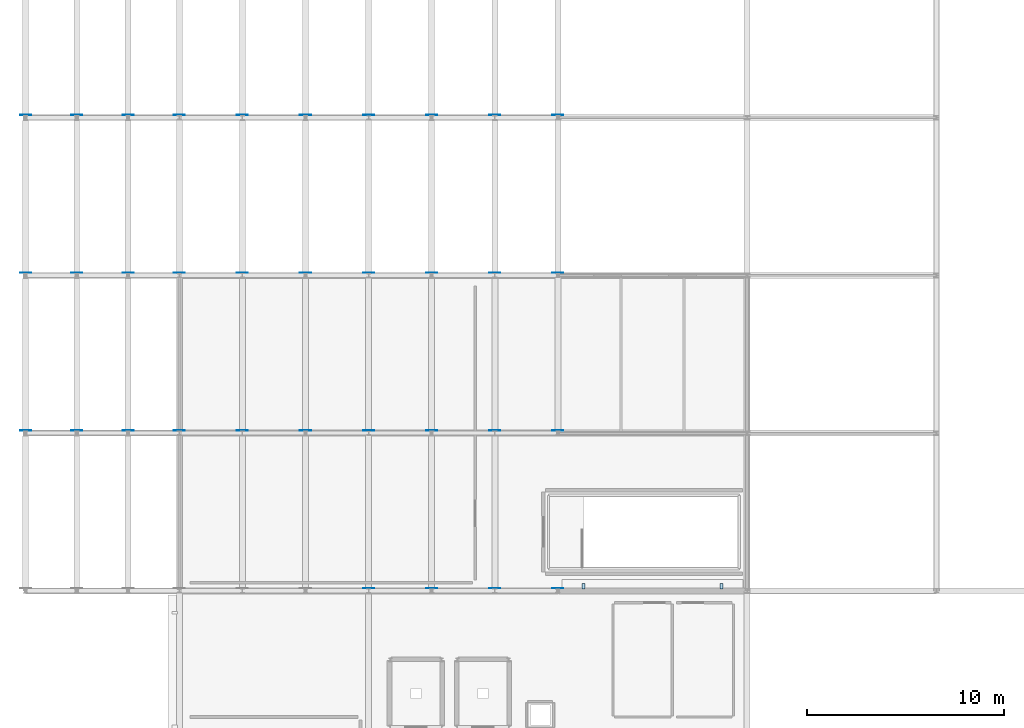
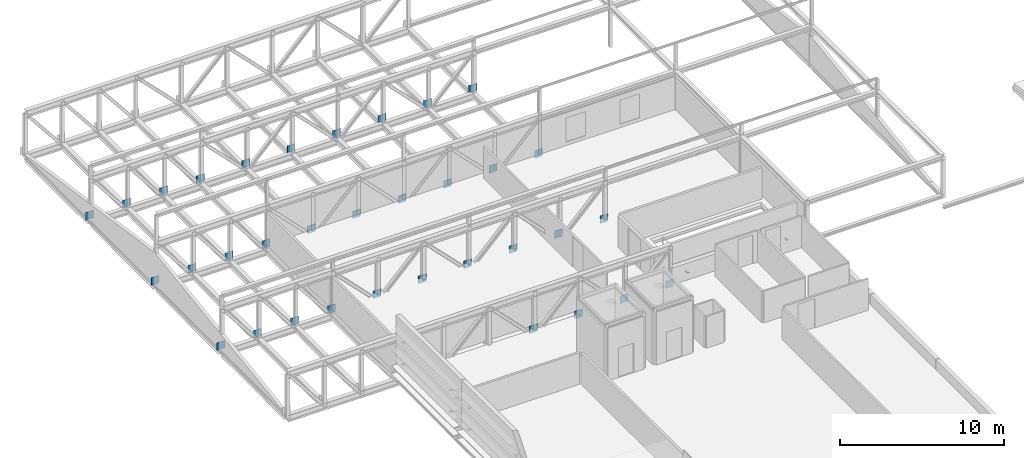
# One storey, part 28 of 34: 36 plates.
"""IFC4 building model written with IfcOpenShell, lengths in metres."""

from ifc_helpers import new_model, si_unit, direction, frame, origin, origin_2d, place, context, subcontext, project, spatial, rectangle, extrude, material, layer, layer_set, type_object, element, save


model = new_model("IFC4")

# Units and contexts
model_context = context("Model", 3, precision=1e-05, world=origin(), true_north=direction((0.0, 1.0)))
body_context = subcontext(model_context, "Body", "Model", "MODEL_VIEW")
ifc_project = project(units=[si_unit("LENGTHUNIT", "METRE"), si_unit("AREAUNIT", "SQUARE_METRE"), si_unit("VOLUMEUNIT", "CUBIC_METRE"), si_unit("PLANEANGLEUNIT", "RADIAN"), si_unit("MASSUNIT", "GRAM", prefix="KILO")], contexts=[model_context])

# Site, building, storey
site_placement = place(None, origin())
site = spatial("IfcSite", under=ifc_project, at=site_placement, CompositionType="ELEMENT")
building_placement = place(site_placement, origin())
building = spatial("IfcBuilding", under=site, at=building_placement, Name="Alderhovde Museum", CompositionType="ELEMENT")
storey_placement = place(building_placement, frame((0.0, 0.0, 25.800048828125)))
storey = spatial("IfcBuildingStorey", under=building, at=storey_placement, Name="L05", CompositionType="ELEMENT", Elevation=25.800048828125)

# Plates
ifc_material_1 = material(Name="Steel S355J2", Category="steel")
ifc_layer_1 = layer(ifc_material_1, 0.02001953125)
ifc_layer_set_1 = layer_set([ifc_layer_1], Name="Steel S355J2")
plate_type_1 = type_object("IfcPlateType", Name="LV-BRACKET", PredefinedType="USERDEFINED", material=ifc_layer_set_1)
for number, where, z_axis, x_axis, name in (
    (1, (30.10400390625, 80.22998046875, 0.2900390625), (0.0, 0.0, 1.0), (1.0, 0.0, 0.0), "L05 Louvre Support Bracket 349-1"),
    (2, (37.095947265625, 80.22998046875, 0.2900390625), (0.0, 0.0, 1.0), (1.0, 0.0, 0.0), "L05 Louvre Support Bracket 349-2"),
):
    element("IfcPlate", number, at=place(storey_placement, frame(where, z_axis=z_axis, x_axis=x_axis)), inside=storey, type_object=plate_type_1, Name=name, ObjectType="BRACKET PLATE", PredefinedType="USERDEFINED", context=body_context, shape_type="SweptSolid", body=[
        extrude(rectangle(XDim=0.139892578125, YDim=0.260009765625, at=origin_2d()), origin(), (0.0, 0.0, 1.0), 0.02001953125),
    ])
ifc_material_2 = material(Name="Steel S355J2", Category="steel")
ifc_layer_2 = layer(ifc_material_2, 0.02197265625)
ifc_layer_set_2 = layer_set([ifc_layer_2], Name="Steel S355J2")
plate_type_2 = type_object("IfcPlateType", Name="PLT-GUSSET-22", PredefinedType="USERDEFINED", material=ifc_layer_set_2)
for number, where, z_axis, x_axis, name in (
    (3, (19.199951171875, 80.1298828125, -0.340087890625), (0.0, 0.0, 1.0), (1.0, 0.0, 0.0), "Transfer Truss Gusset Plate Y=80 T3-7"),
    (4, (22.39990234375, 80.1298828125, -0.340087890625), (0.0, 0.0, 1.0), (1.0, 0.0, 0.0), "Transfer Truss Gusset Plate Y=80 T3-8"),
    (5, (25.60009765625, 80.1298828125, -0.340087890625), (0.0, 0.0, 1.0), (1.0, 0.0, 0.0), "Transfer Truss Gusset Plate Y=80 T3-9"),
    (6, (28.800048828125, 80.1298828125, -0.340087890625), (0.0, 0.0, 1.0), (1.0, 0.0, 0.0), "Transfer Truss Gusset Plate Y=80 T3-10"),
    (7, (1.800048828125, 88.1298828125, -0.340087890625), (0.0, 0.0, 1.0), (1.0, 0.0, 0.0), "Transfer Truss Gusset Plate Y=88 T3-1"),
    (8, (4.39990234375, 88.1298828125, -0.340087890625), (0.0, 0.0, 1.0), (1.0, 0.0, 0.0), "Transfer Truss Gusset Plate Y=88 T3-2"),
    (9, (7.0, 88.1298828125, -0.340087890625), (0.0, 0.0, 1.0), (1.0, 0.0, 0.0), "Transfer Truss Gusset Plate Y=88 T3-3"),
    (10, (9.60009765625, 88.1298828125, -0.340087890625), (0.0, 0.0, 1.0), (1.0, 0.0, 0.0), "Transfer Truss Gusset Plate Y=88 T3-4"),
    (11, (12.800048828125, 88.1298828125, -0.340087890625), (0.0, 0.0, 1.0), (1.0, 0.0, 0.0), "Transfer Truss Gusset Plate Y=88 T3-5"),
    (12, (16.0, 88.1298828125, -0.340087890625), (0.0, 0.0, 1.0), (1.0, 0.0, 0.0), "Transfer Truss Gusset Plate Y=88 T3-6"),
    (13, (19.199951171875, 88.1298828125, -0.340087890625), (0.0, 0.0, 1.0), (1.0, 0.0, 0.0), "Transfer Truss Gusset Plate Y=88 T3-7"),
    (14, (22.39990234375, 88.1298828125, -0.340087890625), (0.0, 0.0, 1.0), (1.0, 0.0, 0.0), "Transfer Truss Gusset Plate Y=88 T3-8"),
    (15, (25.60009765625, 88.1298828125, -0.340087890625), (0.0, 0.0, 1.0), (1.0, 0.0, 0.0), "Transfer Truss Gusset Plate Y=88 T3-9"),
    (16, (28.800048828125, 88.1298828125, -0.340087890625), (0.0, 0.0, 1.0), (1.0, 0.0, 0.0), "Transfer Truss Gusset Plate Y=88 T3-10"),
    (17, (1.800048828125, 96.1298828125, -0.340087890625), (0.0, 0.0, 1.0), (1.0, 0.0, 0.0), "Transfer Truss Gusset Plate Y=96 T3-1"),
    (18, (4.39990234375, 96.1298828125, -0.340087890625), (0.0, 0.0, 1.0), (1.0, 0.0, 0.0), "Transfer Truss Gusset Plate Y=96 T3-2"),
    (19, (7.0, 96.1298828125, -0.340087890625), (0.0, 0.0, 1.0), (1.0, 0.0, 0.0), "Transfer Truss Gusset Plate Y=96 T3-3"),
    (20, (9.60009765625, 96.1298828125, -0.340087890625), (0.0, 0.0, 1.0), (1.0, 0.0, 0.0), "Transfer Truss Gusset Plate Y=96 T3-4"),
    (21, (12.800048828125, 96.1298828125, -0.340087890625), (0.0, 0.0, 1.0), (1.0, 0.0, 0.0), "Transfer Truss Gusset Plate Y=96 T3-5"),
    (22, (16.0, 96.1298828125, -0.340087890625), (0.0, 0.0, 1.0), (1.0, 0.0, 0.0), "Transfer Truss Gusset Plate Y=96 T3-6"),
    (23, (19.199951171875, 96.1298828125, -0.340087890625), (0.0, 0.0, 1.0), (1.0, 0.0, 0.0), "Transfer Truss Gusset Plate Y=96 T3-7"),
    (24, (22.39990234375, 96.1298828125, -0.340087890625), (0.0, 0.0, 1.0), (1.0, 0.0, 0.0), "Transfer Truss Gusset Plate Y=96 T3-8"),
    (25, (25.60009765625, 96.1298828125, -0.340087890625), (0.0, 0.0, 1.0), (1.0, 0.0, 0.0), "Transfer Truss Gusset Plate Y=96 T3-9"),
    (26, (28.800048828125, 96.1298828125, -0.340087890625), (0.0, 0.0, 1.0), (1.0, 0.0, 0.0), "Transfer Truss Gusset Plate Y=96 T3-10"),
    (27, (1.800048828125, 104.1298828125, -0.340087890625), (0.0, 0.0, 1.0), (1.0, 0.0, 0.0), "Transfer Truss Gusset Plate Y=104 T3-1"),
    (28, (4.39990234375, 104.1298828125, -0.340087890625), (0.0, 0.0, 1.0), (1.0, 0.0, 0.0), "Transfer Truss Gusset Plate Y=104 T3-2"),
    (29, (7.0, 104.1298828125, -0.340087890625), (0.0, 0.0, 1.0), (1.0, 0.0, 0.0), "Transfer Truss Gusset Plate Y=104 T3-3"),
    (30, (9.60009765625, 104.1298828125, -0.340087890625), (0.0, 0.0, 1.0), (1.0, 0.0, 0.0), "Transfer Truss Gusset Plate Y=104 T3-4"),
    (31, (12.800048828125, 104.1298828125, -0.340087890625), (0.0, 0.0, 1.0), (1.0, 0.0, 0.0), "Transfer Truss Gusset Plate Y=104 T3-5"),
    (32, (16.0, 104.1298828125, -0.340087890625), (0.0, 0.0, 1.0), (1.0, 0.0, 0.0), "Transfer Truss Gusset Plate Y=104 T3-6"),
    (33, (19.199951171875, 104.1298828125, -0.340087890625), (0.0, 0.0, 1.0), (1.0, 0.0, 0.0), "Transfer Truss Gusset Plate Y=104 T3-7"),
    (34, (22.39990234375, 104.1298828125, -0.340087890625), (0.0, 0.0, 1.0), (1.0, 0.0, 0.0), "Transfer Truss Gusset Plate Y=104 T3-8"),
    (35, (25.60009765625, 104.1298828125, -0.340087890625), (0.0, 0.0, 1.0), (1.0, 0.0, 0.0), "Transfer Truss Gusset Plate Y=104 T3-9"),
    (36, (28.800048828125, 104.1298828125, -0.340087890625), (0.0, 0.0, 1.0), (1.0, 0.0, 0.0), "Transfer Truss Gusset Plate Y=104 T3-10"),
):
    element("IfcPlate", number, at=place(storey_placement, frame(where, z_axis=z_axis, x_axis=x_axis)), inside=storey, type_object=plate_type_2, Name=name, ObjectType="GUSSET PLATE", PredefinedType="USERDEFINED", context=body_context, shape_type="SweptSolid", body=[
        extrude(rectangle(XDim=0.56005859375, YDim=0.02197265625, at=origin_2d()), origin(), (0.0, 0.0, 1.0), 0.56005859375),
    ])

save(model, "model.ifc")
